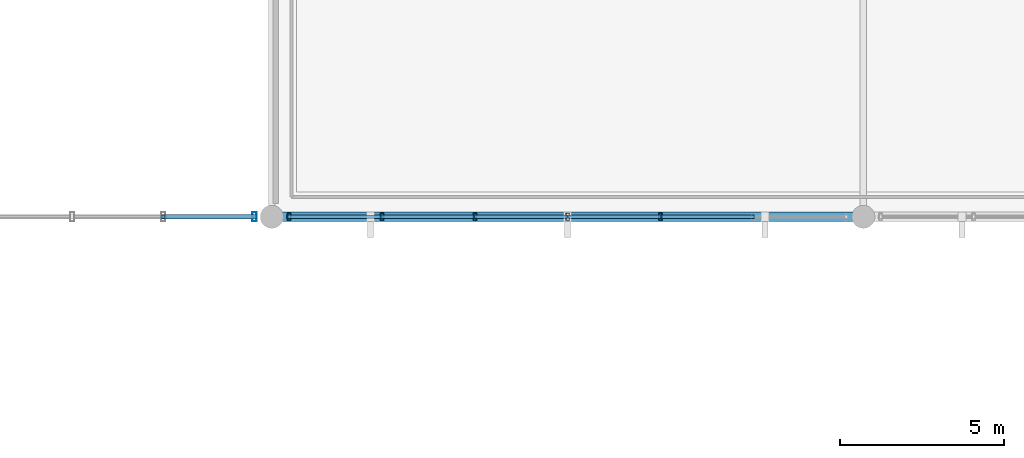
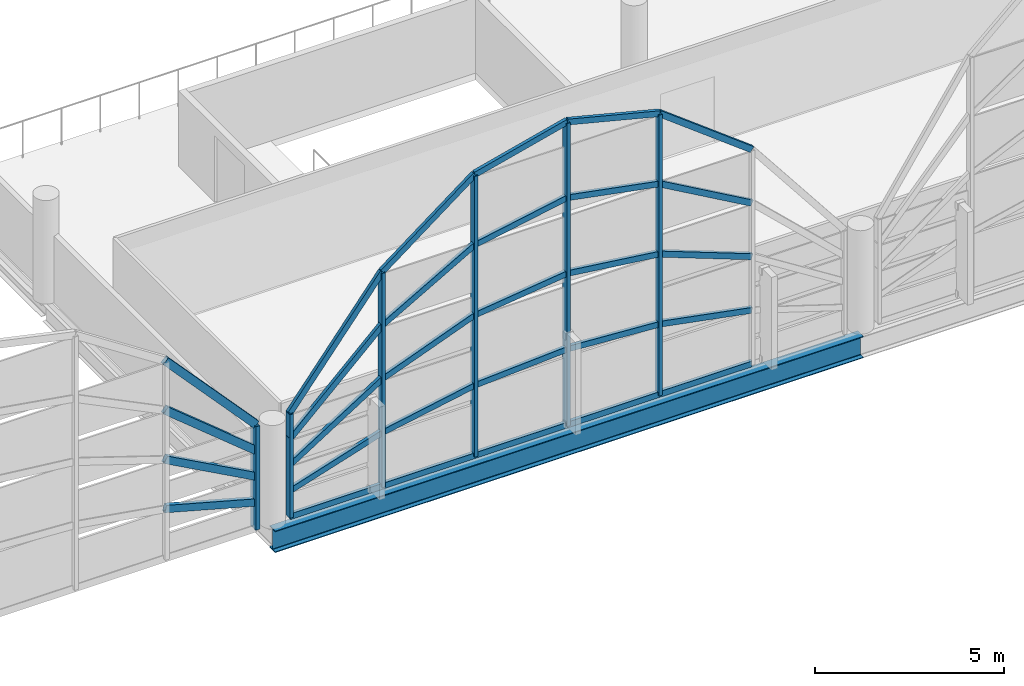
# One storey, part 20 of 116: 35 members, 1 beam, 2 elements without a shape of their own.
"""IFC4 building model written with IfcOpenShell, lengths in metres."""

from ifc_helpers import new_model, si_unit, direction, frame, origin, origin_2d, place, context, subcontext, project, spatial, hollow_rectangle, i_section, extrude, material, material_profile, profile_set, type_object, element, aggregate, save


model = new_model("IFC4")

# Units and contexts
model_context = context("Model", 3, precision=1e-05, world=origin(), true_north=direction((0.0, 1.0)))
body_context = subcontext(model_context, "Body", "Model", "MODEL_VIEW")
ifc_project = project(units=[si_unit("LENGTHUNIT", "METRE"), si_unit("AREAUNIT", "SQUARE_METRE"), si_unit("VOLUMEUNIT", "CUBIC_METRE"), si_unit("PLANEANGLEUNIT", "RADIAN"), si_unit("MASSUNIT", "GRAM", prefix="KILO")], contexts=[model_context])

# Site, building, storey
site_placement = place(None, origin())
site = spatial("IfcSite", under=ifc_project, at=site_placement, CompositionType="ELEMENT")
building_placement = place(site_placement, origin())
building = spatial("IfcBuilding", under=site, at=building_placement, Name="Chuanluo Vaults Station", CompositionType="ELEMENT")
storey_placement = place(building_placement, frame((0.0, 0.0, 10.800048828125)))
storey = spatial("IfcBuildingStorey", under=building, at=storey_placement, Name="L02", CompositionType="ELEMENT", Elevation=10.800048828125)

# Beam
ifc_material_1 = material(Name="Steel Q355C", Category="steel")
ifc_material_profile_1 = material_profile(ifc_material_1, i_section(OverallWidth=0.300048828125, OverallDepth=0.699951171875, WebThickness=0.012939453125, FlangeThickness=0.02392578125, FilletRadius=0.02197265625, at=origin_2d()))
ifc_profile_set_1 = profile_set([ifc_material_profile_1], Name="Steel Q355C")
beam_type = type_object("IfcBeamType", Name="BM-GRD-700", PredefinedType="USERDEFINED", material=ifc_profile_set_1)
beam_placement = place(storey_placement, frame((18.0, 18.0, -0.570068359375), z_axis=(1.0, 0.0, 0.0), x_axis=(0.0, 1.0, 0.0)))
element("IfcBeam", 1, at=beam_placement, inside=storey, type_object=beam_type, Name="Floor girder BM:GX:L02:0545", ObjectType="GIRDER", PredefinedType="USERDEFINED", context=body_context, shape_type="SweptSolid", body=[
    extrude(i_section(OverallWidth=0.300048828125, OverallDepth=0.699951171875, WebThickness=0.012939453125, FlangeThickness=0.02392578125, FilletRadius=0.02197265625, at=origin_2d()), origin(), (0.0, 0.0, 1.0), 18.0),
])

# Curtain wall, members
ifc_material_2 = material(Name="Anodised aluminium 6063-T6", Category="aluminium")
curtain_wall_type_1 = type_object("IfcCurtainWallType", Name="CW-SYS-04", PredefinedType="NOTDEFINED", material=ifc_material_2)
curtain_wall_1_placement = place(storey_placement, origin())
curtain_wall_1 = element("IfcCurtainWall", 2, at=curtain_wall_1_placement, inside=storey, type_object=curtain_wall_type_1, Name="Vault V2 south arched curtain wall", PredefinedType="NOTDEFINED")
ifc_material_3 = material(Name="Anodised aluminium 6063-T6", Category="aluminium")
ifc_material_profile_2 = material_profile(ifc_material_3, hollow_rectangle(XDim=0.10498046875, YDim=0.219970703125, WallThickness=0.006103515625, at=origin_2d()))
ifc_profile_set_2 = profile_set([ifc_material_profile_2], Name="Anodised aluminium 6063-T6")
member_type_1 = type_object("IfcMemberType", Name="CWM-140", PredefinedType="MULLION", material=ifc_profile_set_2)
member_1_placement = place(storey_placement, frame((29.824951171875, 18.0, 0.0), z_axis=(0.0, 0.0, 1.0), x_axis=(-1.0, 0.0, 0.0)))
member_1 = element("IfcMember", 3, at=member_1_placement, type_object=member_type_1, Name="Vault V2 south arched curtain wall mullion 3", PredefinedType="MULLION", context=body_context, shape_type="SweptSolid", body=[
    extrude(hollow_rectangle(XDim=0.10498046875, YDim=0.219970703125, WallThickness=0.006103515625, at=origin_2d()), origin(), (0.0, 0.0, 1.0), 9.083251953125),
])
member_2_placement = place(storey_placement, frame((27.0, 18.0, 0.0), z_axis=(0.0, 0.0, 1.0), x_axis=(-1.0, 0.0, 0.0)))
member_2 = element("IfcMember", 4, at=member_2_placement, type_object=member_type_1, Name="Vault V2 south arched curtain wall mullion 4", PredefinedType="MULLION", context=body_context, shape_type="SweptSolid", body=[
    extrude(hollow_rectangle(XDim=0.10498046875, YDim=0.219970703125, WallThickness=0.006103515625, at=origin_2d()), origin(), (0.0, 0.0, 1.0), 9.800048828125),
])
member_3_placement = place(storey_placement, frame((24.175048828125, 18.0, 0.0), z_axis=(0.0, 0.0, 1.0), x_axis=(-1.0, 0.0, 0.0)))
member_3 = element("IfcMember", 5, at=member_3_placement, type_object=member_type_1, Name="Vault V2 south arched curtain wall mullion 5", PredefinedType="MULLION", context=body_context, shape_type="SweptSolid", body=[
    extrude(hollow_rectangle(XDim=0.10498046875, YDim=0.219970703125, WallThickness=0.006103515625, at=origin_2d()), origin(), (0.0, 0.0, 1.0), 9.083251953125),
])
member_4_placement = place(storey_placement, frame((21.35009765625, 18.0, 0.0), z_axis=(0.0, 0.0, 1.0), x_axis=(-1.0, 0.0, 0.0)))
member_4 = element("IfcMember", 6, at=member_4_placement, type_object=member_type_1, Name="Vault V2 south arched curtain wall mullion 6", PredefinedType="MULLION", context=body_context, shape_type="SweptSolid", body=[
    extrude(hollow_rectangle(XDim=0.10498046875, YDim=0.219970703125, WallThickness=0.006103515625, at=origin_2d()), origin(), (0.0, 0.0, 1.0), 6.933349609375),
])
member_5_placement = place(storey_placement, frame((18.52490234375, 18.0, 0.0), z_axis=(0.0, 0.0, 1.0), x_axis=(-1.0, 0.0, 0.0)))
member_5 = element("IfcMember", 7, at=member_5_placement, type_object=member_type_1, Name="Vault V2 south arched curtain wall mullion 7", PredefinedType="MULLION", context=body_context, shape_type="SweptSolid", body=[
    extrude(hollow_rectangle(XDim=0.10498046875, YDim=0.219970703125, WallThickness=0.006103515625, at=origin_2d()), origin(), (0.0, 0.0, 1.0), 3.349853515625),
])

# Curtain wall, member
ifc_material_4 = material(Name="Anodised aluminium 6063-T6", Category="aluminium")
curtain_wall_type_2 = type_object("IfcCurtainWallType", Name="CW-SYS-02", PredefinedType="NOTDEFINED", material=ifc_material_4)
curtain_wall_2_placement = place(storey_placement, origin())
curtain_wall_2 = element("IfcCurtainWall", 8, at=curtain_wall_2_placement, inside=storey, type_object=curtain_wall_type_2, Name="Vault V1 south arched curtain wall", PredefinedType="NOTDEFINED")
ifc_material_5 = material(Name="Anodised aluminium 6063-T6", Category="aluminium")
ifc_material_profile_3 = material_profile(ifc_material_5, hollow_rectangle(XDim=0.1298828125, YDim=0.280029296875, WallThickness=0.007080078125, at=origin_2d()))
ifc_profile_set_3 = profile_set([ifc_material_profile_3], Name="Anodised aluminium 6063-T6")
member_type_2 = type_object("IfcMemberType", Name="CWM-180", PredefinedType="MULLION", material=ifc_profile_set_3)
member_6_placement = place(storey_placement, frame((17.47509765625, 18.0, 0.0), z_axis=(0.0, 0.0, 1.0), x_axis=(-1.0, 0.0, 0.0)))
member_6 = element("IfcMember", 9, at=member_6_placement, type_object=member_type_2, Name="Vault V1 south arched curtain wall mullion 1", PredefinedType="MULLION", context=body_context, shape_type="SweptSolid", body=[
    extrude(hollow_rectangle(XDim=0.1298828125, YDim=0.280029296875, WallThickness=0.007080078125, at=origin_2d()), origin(), (0.0, 0.0, 1.0), 3.349853515625),
])

# Member
ifc_material_6 = material(Name="Anodised aluminium 6063-T6", Category="aluminium")
ifc_material_profile_4 = material_profile(ifc_material_6, hollow_rectangle(XDim=0.10498046875, YDim=0.18505859375, WallThickness=0.0048828125, at=origin_2d()))
ifc_profile_set_4 = profile_set([ifc_material_profile_4], Name="Anodised aluminium 6063-T6")
member_type_3 = type_object("IfcMemberType", Name="CWT-110", PredefinedType="USERDEFINED", material=ifc_profile_set_4)
member_7_placement = place(storey_placement, frame((32.64990234375, 18.0, 0.0), z_axis=(-1.0, 0.0, 0.0), x_axis=(0.0, -1.0, 0.0)))
member_7 = element("IfcMember", 10, at=member_7_placement, type_object=member_type_3, Name="Vault V2 south arched curtain wall transom 2.1", ObjectType="TRANSOM", PredefinedType="USERDEFINED", context=body_context, shape_type="SweptSolid", body=[
    extrude(hollow_rectangle(XDim=0.10498046875, YDim=0.18505859375, WallThickness=0.0048828125, at=origin_2d()), origin(), (0.0, 0.0, 1.0), 2.824951171875),
])

member_8_placement = place(storey_placement, frame((32.64990234375, 18.0, 1.733154296875), z_axis=(-0.982369763002, 0.0, 0.186948251502), x_axis=(0.0, -1.0, 0.0)))
member_8 = element("IfcMember", 11, at=member_8_placement, type_object=member_type_3, Name="Vault V2 south arched curtain wall transom 2.2", ObjectType="TRANSOM", PredefinedType="USERDEFINED", context=body_context, shape_type="SweptSolid", body=[
    extrude(hollow_rectangle(XDim=0.10498046875, YDim=0.18505859375, WallThickness=0.0048828125, at=origin_2d()), origin(), (0.0, 0.0, 1.0), 2.875732421875),
])

member_9_placement = place(storey_placement, frame((32.64990234375, 18.0, 3.466552734375), z_axis=(-0.934622023127, 0.0, 0.35564262102), x_axis=(0.0, -1.0, 0.0)))
member_9 = element("IfcMember", 12, at=member_9_placement, type_object=member_type_3, Name="Vault V2 south arched curtain wall transom 2.3", ObjectType="TRANSOM", PredefinedType="USERDEFINED", context=body_context, shape_type="SweptSolid", body=[
    extrude(hollow_rectangle(XDim=0.10498046875, YDim=0.18505859375, WallThickness=0.0048828125, at=origin_2d()), origin(), (0.0, 0.0, 1.0), 3.0224609375),
])

member_10_placement = place(storey_placement, frame((32.64990234375, 18.0, 5.199951171875), z_axis=(-0.868469373558, 0.0, 0.495742823641), x_axis=(0.0, -1.0, 0.0)))
member_10 = element("IfcMember", 13, at=member_10_placement, type_object=member_type_3, Name="Vault V2 south arched curtain wall transom 2.4", ObjectType="TRANSOM", PredefinedType="USERDEFINED", context=body_context, shape_type="SweptSolid", body=[
    extrude(hollow_rectangle(XDim=0.10498046875, YDim=0.18505859375, WallThickness=0.0048828125, at=origin_2d()), origin(), (0.0, 0.0, 1.0), 3.252685546875),
])

member_11_placement = place(storey_placement, frame((32.64990234375, 18.0, 6.933349609375), z_axis=(-0.795763128409, 0.0, 0.605607994881), x_axis=(0.0, -1.0, 0.0)))
member_11 = element("IfcMember", 14, at=member_11_placement, type_object=member_type_3, Name="Vault V2 south arched curtain wall transom 2.5", ObjectType="TRANSOM", PredefinedType="USERDEFINED", context=body_context, shape_type="SweptSolid", body=[
    extrude(hollow_rectangle(XDim=0.10498046875, YDim=0.18505859375, WallThickness=0.0048828125, at=origin_2d()), origin(), (0.0, 0.0, 1.0), 3.550048828125),
])

member_12_placement = place(storey_placement, frame((29.824951171875, 18.0, 0.0), z_axis=(-1.0, 0.0, 0.0), x_axis=(0.0, -1.0, 0.0)))
member_12 = element("IfcMember", 15, at=member_12_placement, type_object=member_type_3, Name="Vault V2 south arched curtain wall transom 3.1", ObjectType="TRANSOM", PredefinedType="USERDEFINED", context=body_context, shape_type="SweptSolid", body=[
    extrude(hollow_rectangle(XDim=0.10498046875, YDim=0.18505859375, WallThickness=0.0048828125, at=origin_2d()), origin(), (0.0, 0.0, 1.0), 2.824951171875),
])

member_13_placement = place(storey_placement, frame((29.824951171875, 18.0, 2.270751953125), z_axis=(-0.997994087104, 0.0, 0.063307204212), x_axis=(0.0, -1.0, 0.0)))
member_13 = element("IfcMember", 16, at=member_13_placement, type_object=member_type_3, Name="Vault V2 south arched curtain wall transom 3.2", ObjectType="TRANSOM", PredefinedType="USERDEFINED", context=body_context, shape_type="SweptSolid", body=[
    extrude(hollow_rectangle(XDim=0.10498046875, YDim=0.18505859375, WallThickness=0.0048828125, at=origin_2d()), origin(), (0.0, 0.0, 1.0), 2.83056640625),
])

member_14_placement = place(storey_placement, frame((29.824951171875, 18.0, 4.54150390625), z_axis=(-0.992048008585, 0.0, 0.125860036004), x_axis=(0.0, -1.0, 0.0)))
member_14 = element("IfcMember", 17, at=member_14_placement, type_object=member_type_3, Name="Vault V2 south arched curtain wall transom 3.3", ObjectType="TRANSOM", PredefinedType="USERDEFINED", context=body_context, shape_type="SweptSolid", body=[
    extrude(hollow_rectangle(XDim=0.10498046875, YDim=0.18505859375, WallThickness=0.0048828125, at=origin_2d()), origin(), (0.0, 0.0, 1.0), 2.84765625),
])

member_15_placement = place(storey_placement, frame((29.824951171875, 18.0, 6.8125), z_axis=(-0.982385351784, 0.0, 0.186866317455), x_axis=(0.0, -1.0, 0.0)))
member_15 = element("IfcMember", 18, at=member_15_placement, type_object=member_type_3, Name="Vault V2 south arched curtain wall transom 3.4", ObjectType="TRANSOM", PredefinedType="USERDEFINED", context=body_context, shape_type="SweptSolid", body=[
    extrude(hollow_rectangle(XDim=0.10498046875, YDim=0.18505859375, WallThickness=0.0048828125, at=origin_2d()), origin(), (0.0, 0.0, 1.0), 2.87548828125),
])

member_16_placement = place(storey_placement, frame((29.824951171875, 18.0, 9.083251953125), z_axis=(-0.969284041054, 0.0, 0.245943993132), x_axis=(0.0, -1.0, 0.0)))
member_16 = element("IfcMember", 19, at=member_16_placement, type_object=member_type_3, Name="Vault V2 south arched curtain wall transom 3.5", ObjectType="TRANSOM", PredefinedType="USERDEFINED", context=body_context, shape_type="SweptSolid", body=[
    extrude(hollow_rectangle(XDim=0.10498046875, YDim=0.18505859375, WallThickness=0.0048828125, at=origin_2d()), origin(), (0.0, 0.0, 1.0), 2.91455078125),
])

member_17_placement = place(storey_placement, frame((27.0, 18.0, 0.0), z_axis=(-1.0, 0.0, 0.0), x_axis=(0.0, -1.0, 0.0)))
member_17 = element("IfcMember", 20, at=member_17_placement, type_object=member_type_3, Name="Vault V2 south arched curtain wall transom 4.1", ObjectType="TRANSOM", PredefinedType="USERDEFINED", context=body_context, shape_type="SweptSolid", body=[
    extrude(hollow_rectangle(XDim=0.10498046875, YDim=0.18505859375, WallThickness=0.0048828125, at=origin_2d()), origin(), (0.0, 0.0, 1.0), 2.824951171875),
])

member_18_placement = place(storey_placement, frame((27.0, 18.0, 2.449951171875), z_axis=(-0.997994087104, 0.0, -0.063307204212), x_axis=(0.0, -1.0, 0.0)))
member_18 = element("IfcMember", 21, at=member_18_placement, type_object=member_type_3, Name="Vault V2 south arched curtain wall transom 4.2", ObjectType="TRANSOM", PredefinedType="USERDEFINED", context=body_context, shape_type="SweptSolid", body=[
    extrude(hollow_rectangle(XDim=0.10498046875, YDim=0.18505859375, WallThickness=0.0048828125, at=origin_2d()), origin(), (0.0, 0.0, 1.0), 2.83056640625),
])

member_19_placement = place(storey_placement, frame((27.0, 18.0, 4.89990234375), z_axis=(-0.992048008585, 0.0, -0.125860036004), x_axis=(0.0, -1.0, 0.0)))
member_19 = element("IfcMember", 22, at=member_19_placement, type_object=member_type_3, Name="Vault V2 south arched curtain wall transom 4.3", ObjectType="TRANSOM", PredefinedType="USERDEFINED", context=body_context, shape_type="SweptSolid", body=[
    extrude(hollow_rectangle(XDim=0.10498046875, YDim=0.18505859375, WallThickness=0.0048828125, at=origin_2d()), origin(), (0.0, 0.0, 1.0), 2.84765625),
])

member_20_placement = place(storey_placement, frame((27.0, 18.0, 7.349853515625), z_axis=(-0.982385351784, 0.0, -0.186866317455), x_axis=(0.0, -1.0, 0.0)))
member_20 = element("IfcMember", 23, at=member_20_placement, type_object=member_type_3, Name="Vault V2 south arched curtain wall transom 4.4", ObjectType="TRANSOM", PredefinedType="USERDEFINED", context=body_context, shape_type="SweptSolid", body=[
    extrude(hollow_rectangle(XDim=0.10498046875, YDim=0.18505859375, WallThickness=0.0048828125, at=origin_2d()), origin(), (0.0, 0.0, 1.0), 2.87548828125),
])

member_21_placement = place(storey_placement, frame((27.0, 18.0, 9.800048828125), z_axis=(-0.969284041054, 0.0, -0.245943993132), x_axis=(0.0, -1.0, 0.0)))
member_21 = element("IfcMember", 24, at=member_21_placement, type_object=member_type_3, Name="Vault V2 south arched curtain wall transom 4.5", ObjectType="TRANSOM", PredefinedType="USERDEFINED", context=body_context, shape_type="SweptSolid", body=[
    extrude(hollow_rectangle(XDim=0.10498046875, YDim=0.18505859375, WallThickness=0.0048828125, at=origin_2d()), origin(), (0.0, 0.0, 1.0), 2.91455078125),
])

member_22_placement = place(storey_placement, frame((24.175048828125, 18.0, 0.0), z_axis=(-1.0, 0.0, 0.0), x_axis=(0.0, -1.0, 0.0)))
member_22 = element("IfcMember", 25, at=member_22_placement, type_object=member_type_3, Name="Vault V2 south arched curtain wall transom 5.1", ObjectType="TRANSOM", PredefinedType="USERDEFINED", context=body_context, shape_type="SweptSolid", body=[
    extrude(hollow_rectangle(XDim=0.10498046875, YDim=0.18505859375, WallThickness=0.0048828125, at=origin_2d()), origin(), (0.0, 0.0, 1.0), 2.824951171875),
])

member_23_placement = place(storey_placement, frame((24.175048828125, 18.0, 2.270751953125), z_axis=(-0.982369763002, 0.0, -0.186948251502), x_axis=(0.0, -1.0, 0.0)))
member_23 = element("IfcMember", 26, at=member_23_placement, type_object=member_type_3, Name="Vault V2 south arched curtain wall transom 5.2", ObjectType="TRANSOM", PredefinedType="USERDEFINED", context=body_context, shape_type="SweptSolid", body=[
    extrude(hollow_rectangle(XDim=0.10498046875, YDim=0.18505859375, WallThickness=0.0048828125, at=origin_2d()), origin(), (0.0, 0.0, 1.0), 2.875732421875),
])

member_24_placement = place(storey_placement, frame((24.175048828125, 18.0, 4.54150390625), z_axis=(-0.934622023127, 0.0, -0.35564262102), x_axis=(0.0, -1.0, 0.0)))
member_24 = element("IfcMember", 27, at=member_24_placement, type_object=member_type_3, Name="Vault V2 south arched curtain wall transom 5.3", ObjectType="TRANSOM", PredefinedType="USERDEFINED", context=body_context, shape_type="SweptSolid", body=[
    extrude(hollow_rectangle(XDim=0.10498046875, YDim=0.18505859375, WallThickness=0.0048828125, at=origin_2d()), origin(), (0.0, 0.0, 1.0), 3.0224609375),
])

member_25_placement = place(storey_placement, frame((24.175048828125, 18.0, 6.8125), z_axis=(-0.868469373558, 0.0, -0.495742823641), x_axis=(0.0, -1.0, 0.0)))
member_25 = element("IfcMember", 28, at=member_25_placement, type_object=member_type_3, Name="Vault V2 south arched curtain wall transom 5.4", ObjectType="TRANSOM", PredefinedType="USERDEFINED", context=body_context, shape_type="SweptSolid", body=[
    extrude(hollow_rectangle(XDim=0.10498046875, YDim=0.18505859375, WallThickness=0.0048828125, at=origin_2d()), origin(), (0.0, 0.0, 1.0), 3.252685546875),
])

member_26_placement = place(storey_placement, frame((24.175048828125, 18.0, 9.083251953125), z_axis=(-0.795763128409, 0.0, -0.605607994881), x_axis=(0.0, -1.0, 0.0)))
member_26 = element("IfcMember", 29, at=member_26_placement, type_object=member_type_3, Name="Vault V2 south arched curtain wall transom 5.5", ObjectType="TRANSOM", PredefinedType="USERDEFINED", context=body_context, shape_type="SweptSolid", body=[
    extrude(hollow_rectangle(XDim=0.10498046875, YDim=0.18505859375, WallThickness=0.0048828125, at=origin_2d()), origin(), (0.0, 0.0, 1.0), 3.550048828125),
])

member_27_placement = place(storey_placement, frame((21.35009765625, 18.0, 0.0), z_axis=(-1.0, 0.0, 0.0), x_axis=(0.0, -1.0, 0.0)))
member_27 = element("IfcMember", 30, at=member_27_placement, type_object=member_type_3, Name="Vault V2 south arched curtain wall transom 6.1", ObjectType="TRANSOM", PredefinedType="USERDEFINED", context=body_context, shape_type="SweptSolid", body=[
    extrude(hollow_rectangle(XDim=0.10498046875, YDim=0.18505859375, WallThickness=0.0048828125, at=origin_2d()), origin(), (0.0, 0.0, 1.0), 2.8251953125),
])

member_28_placement = place(storey_placement, frame((21.35009765625, 18.0, 1.733154296875), z_axis=(-0.953234689536, 0.0, -0.302231081568), x_axis=(0.0, -1.0, 0.0)))
member_28 = element("IfcMember", 31, at=member_28_placement, type_object=member_type_3, Name="Vault V2 south arched curtain wall transom 6.2", ObjectType="TRANSOM", PredefinedType="USERDEFINED", context=body_context, shape_type="SweptSolid", body=[
    extrude(hollow_rectangle(XDim=0.10498046875, YDim=0.18505859375, WallThickness=0.0048828125, at=origin_2d()), origin(), (0.0, 0.0, 1.0), 2.9638671875),
])

member_29_placement = place(storey_placement, frame((21.35009765625, 18.0, 3.466552734375), z_axis=(-0.844519848764, 0.0, -0.535524252526), x_axis=(0.0, -1.0, 0.0)))
member_29 = element("IfcMember", 32, at=member_29_placement, type_object=member_type_3, Name="Vault V2 south arched curtain wall transom 6.3", ObjectType="TRANSOM", PredefinedType="USERDEFINED", context=body_context, shape_type="SweptSolid", body=[
    extrude(hollow_rectangle(XDim=0.10498046875, YDim=0.18505859375, WallThickness=0.0048828125, at=origin_2d()), origin(), (0.0, 0.0, 1.0), 3.34521484375),
])

member_30_placement = place(storey_placement, frame((21.35009765625, 18.0, 5.199951171875), z_axis=(-0.724542809438, 0.0, -0.68922980006), x_axis=(0.0, -1.0, 0.0)))
member_30 = element("IfcMember", 33, at=member_30_placement, type_object=member_type_3, Name="Vault V2 south arched curtain wall transom 6.4", ObjectType="TRANSOM", PredefinedType="USERDEFINED", context=body_context, shape_type="SweptSolid", body=[
    extrude(hollow_rectangle(XDim=0.10498046875, YDim=0.18505859375, WallThickness=0.0048828125, at=origin_2d()), origin(), (0.0, 0.0, 1.0), 3.899169921875),
])

member_31_placement = place(storey_placement, frame((21.35009765625, 18.0, 6.933349609375), z_axis=(-0.619120273316, 0.0, -0.785296177992), x_axis=(0.0, -1.0, 0.0)))
member_31 = element("IfcMember", 34, at=member_31_placement, type_object=member_type_3, Name="Vault V2 south arched curtain wall transom 6.5", ObjectType="TRANSOM", PredefinedType="USERDEFINED", context=body_context, shape_type="SweptSolid", body=[
    extrude(hollow_rectangle(XDim=0.10498046875, YDim=0.18505859375, WallThickness=0.0048828125, at=origin_2d()), origin(), (0.0, 0.0, 1.0), 4.563232421875),
])

aggregate(curtain_wall_1, [member_1, member_2, member_3, member_4, member_5, member_7, member_8, member_9, member_10, member_11, member_12, member_13, member_14, member_15, member_16, member_17, member_18, member_19, member_20, member_21, member_22, member_23, member_24, member_25, member_26, member_27, member_28, member_29, member_30, member_31])

ifc_material_7 = material(Name="Anodised aluminium 6063-T6", Category="aluminium")
ifc_material_profile_5 = material_profile(ifc_material_7, hollow_rectangle(XDim=0.1298828125, YDim=0.22998046875, WallThickness=0.006103515625, at=origin_2d()))
ifc_profile_set_5 = profile_set([ifc_material_profile_5], Name="Anodised aluminium 6063-T6")
member_type_4 = type_object("IfcMemberType", Name="CWT-150", PredefinedType="USERDEFINED", material=ifc_profile_set_5)
member_32_placement = place(storey_placement, frame((17.47509765625, 18.0, 0.83740234375), z_axis=(-0.964744232633, 0.0, 0.263189220146), x_axis=(0.0, -1.0, 0.0)))
member_32 = element("IfcMember", 35, at=member_32_placement, type_object=member_type_4, Name="Vault V1 south arched curtain wall transom 1.2", ObjectType="TRANSOM", PredefinedType="USERDEFINED", context=body_context, shape_type="SweptSolid", body=[
    extrude(hollow_rectangle(XDim=0.1298828125, YDim=0.22998046875, WallThickness=0.006103515625, at=origin_2d()), origin(), (0.0, 0.0, 1.0), 2.87646484375),
])

member_33_placement = place(storey_placement, frame((17.47509765625, 18.0, 1.675048828125), z_axis=(-0.877869008512, 0.0, 0.478900828872), x_axis=(0.0, -1.0, 0.0)))
member_33 = element("IfcMember", 36, at=member_33_placement, type_object=member_type_4, Name="Vault V1 south arched curtain wall transom 1.3", ObjectType="TRANSOM", PredefinedType="USERDEFINED", context=body_context, shape_type="SweptSolid", body=[
    extrude(hollow_rectangle(XDim=0.1298828125, YDim=0.22998046875, WallThickness=0.006103515625, at=origin_2d()), origin(), (0.0, 0.0, 1.0), 3.1611328125),
])

member_34_placement = place(storey_placement, frame((17.47509765625, 18.0, 2.512451171875), z_axis=(-0.773899661364, 0.0, 0.633308229965), x_axis=(0.0, -1.0, 0.0)))
member_34 = element("IfcMember", 37, at=member_34_placement, type_object=member_type_4, Name="Vault V1 south arched curtain wall transom 1.4", ObjectType="TRANSOM", PredefinedType="USERDEFINED", context=body_context, shape_type="SweptSolid", body=[
    extrude(hollow_rectangle(XDim=0.1298828125, YDim=0.22998046875, WallThickness=0.006103515625, at=origin_2d()), origin(), (0.0, 0.0, 1.0), 3.5859375),
])

member_35_placement = place(storey_placement, frame((17.47509765625, 18.0, 3.349853515625), z_axis=(-0.675676176294, 0.0, 0.737198551808), x_axis=(0.0, -1.0, 0.0)))
member_35 = element("IfcMember", 38, at=member_35_placement, type_object=member_type_4, Name="Vault V1 south arched curtain wall transom 1.5", ObjectType="TRANSOM", PredefinedType="USERDEFINED", context=body_context, shape_type="SweptSolid", body=[
    extrude(hollow_rectangle(XDim=0.1298828125, YDim=0.22998046875, WallThickness=0.006103515625, at=origin_2d()), origin(), (0.0, 0.0, 1.0), 4.107177734375),
])

aggregate(curtain_wall_2, [member_6, member_32, member_33, member_34, member_35])

save(model, "model.ifc")
